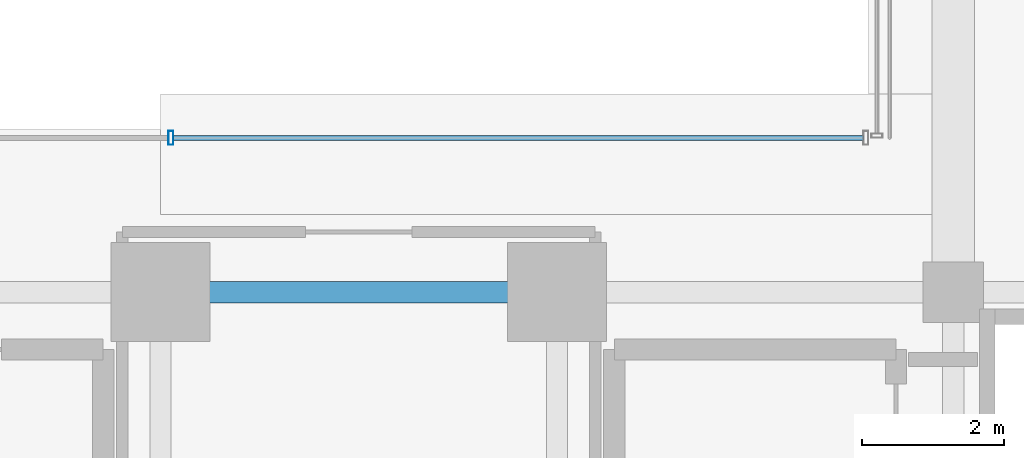
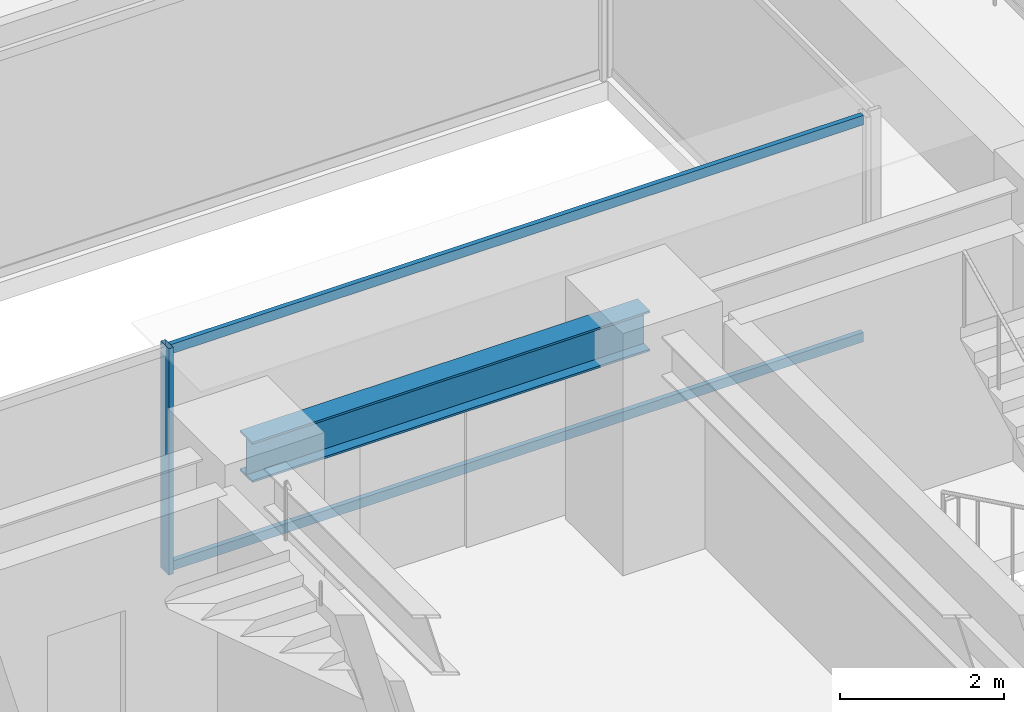
# One storey, part 9 of 43: 3 members, 1 beam, 1 element without a shape of its own.
"""IFC4 building model written with IfcOpenShell, lengths in metres."""

import ifcopenshell
import ifcopenshell.guid

model = None  # the IFC model being written
_history = None  # IfcOwnerHistory: only IFC2X3 demands one
_inside = {}  # id of a spatial element -> (the spatial element, [elements in it])
_under = {}  # id of a project, library or spatial element -> (it, [spatial elements below it])
_declared = {}  # id of a project -> (the project, [libraries it declares])
_typed = {}  # id of a type object -> (the type object, [elements of that type])
_made_of = {}  # id of a material, layer set ... -> (it, [elements and type objects made of it])


def new_model(schema):
    """Start an empty IFC model of exactly this schema.

    Asked for "IFC4X3", IfcOpenShell would pick the latest addendum, in which some entities
    have other attributes; the version numbers below select the first issue.
    IFC2X3 requires an IfcOwnerHistory on every rooted entity: one is made here for all.
    """
    global model, _history
    if schema == "IFC4X3":
        model = ifcopenshell.file(schema_version=(4, 3, 0, 0))
    else:
        model = ifcopenshell.file(schema=schema)
    _inside.clear()
    _under.clear()
    _declared.clear()
    _typed.clear()
    _made_of.clear()
    _history = None
    if model.schema == "IFC2X3":
        org = make("IfcOrganization", Name="unknown")
        user = make(
            "IfcPersonAndOrganization",
            ThePerson=make("IfcPerson", FamilyName="unknown"),
            TheOrganization=org,
        )
        app = make(
            "IfcApplication",
            ApplicationDeveloper=org,
            Version="unknown",
            ApplicationFullName="unknown",
            ApplicationIdentifier="unknown",
        )
        _history = make(
            "IfcOwnerHistory",
            OwningUser=user,
            OwningApplication=app,
            ChangeAction="ADDED",
            CreationDate=0,
        )
    return model


def make(cls, **values):
    """One entity of the class cls with the attributes given. An attribute that is None is left unset."""
    return model.create_entity(
        cls, **{name: value for name, value in values.items() if value is not None}
    )


def rooted(cls, **values):
    """An entity with a GlobalId (a new one), such as an element, a storey or a relation."""
    return make(cls, GlobalId=ifcopenshell.guid.new(), OwnerHistory=_history, **values)


def si_unit(unit_type, name, prefix=None):
    """IfcSIUnit, for example si_unit("LENGTHUNIT", "METRE", prefix="MILLI")."""
    return make("IfcSIUnit", UnitType=unit_type, Prefix=prefix, Name=name)


def assignment(units):
    """IfcUnitAssignment: the units of a project."""
    return None if units is None else make("IfcUnitAssignment", Units=units)


def point(xyz):
    """IfcCartesianPoint."""
    return None if xyz is None else make("IfcCartesianPoint", Coordinates=xyz)


def direction(xyz):
    """IfcDirection."""
    return None if xyz is None else make("IfcDirection", DirectionRatios=xyz)


def frame(location, z_axis=None, x_axis=None):
    """IfcAxis2Placement3D, a coordinate frame: its origin and axes. An axis left out is left unset."""
    return make(
        "IfcAxis2Placement3D",
        Location=point(location),
        Axis=direction(z_axis),
        RefDirection=direction(x_axis),
    )


def frame_2d(location, x_axis=None):
    """IfcAxis2Placement2D, a coordinate frame in the plane: its origin and x axis."""
    return make(
        "IfcAxis2Placement2D", Location=point(location), RefDirection=direction(x_axis)
    )


def origin():
    """The frame at (0, 0, 0) with its axes left unset."""
    return frame((0.0, 0.0, 0.0))


def origin_2d():
    """The frame at (0, 0) in the plane with its x axis left unset."""
    return frame_2d((0.0, 0.0))


def place(relative_to, where):
    """IfcLocalPlacement: puts the frame where relative to a parent placement (None: the world)."""
    return make(
        "IfcLocalPlacement", PlacementRelTo=relative_to, RelativePlacement=where
    )


def context(
    kind, dimensions, precision=None, world=None, true_north=None, identifier=None
):
    """IfcGeometricRepresentationContext, for example the 3D "Model" context."""
    return make(
        "IfcGeometricRepresentationContext",
        ContextIdentifier=identifier,
        ContextType=kind,
        CoordinateSpaceDimension=dimensions,
        Precision=precision,
        WorldCoordinateSystem=world,
        TrueNorth=true_north,
    )


def subcontext(parent, identifier, kind, view, scale=None):
    """IfcGeometricRepresentationSubContext, for example "Body" below "Model"."""
    return make(
        "IfcGeometricRepresentationSubContext",
        ContextIdentifier=identifier,
        ContextType=kind,
        ParentContext=parent,
        TargetScale=scale,
        TargetView=view,
    )


def project(units=None, contexts=None):
    """IfcProject with its units and contexts."""
    return rooted(
        "IfcProject",
        Name="project",
        RepresentationContexts=contexts,
        UnitsInContext=assignment(units),
    )


def spatial(cls, under=None, at=None, **own):
    """A site, building, storey or space (cls), placed at a placement, below another one or the project."""
    s = rooted(cls, ObjectPlacement=at, **own)
    if under is not None:
        _under.setdefault(under.id(), (under, []))[1].append(s)
    return s


def profile(cls, at=None, kind="AREA", **sizes):
    """A parametric profile (cls). Its sizes go by their IFC names, for example OverallWidth=200.0."""
    return make(cls, ProfileType=kind, Position=at, **sizes)


def hollow_rectangle(**sizes):
    """IfcRectangleHollowProfileDef."""
    return profile("IfcRectangleHollowProfileDef", **sizes)


def i_section(**sizes):
    """IfcIShapeProfileDef."""
    return profile("IfcIShapeProfileDef", **sizes)


def extrude(swept, where, along, depth):
    """IfcExtrudedAreaSolid: the profile swept, set in the frame where, extruded along a direction by depth."""
    return make(
        "IfcExtrudedAreaSolid",
        SweptArea=swept,
        Position=where,
        ExtrudedDirection=direction(along),
        Depth=depth,
    )


def shape(context_of_items, identifier, shape_type, items):
    """IfcShapeRepresentation: the items that make up one representation, for example the "Body"."""
    return make(
        "IfcShapeRepresentation",
        ContextOfItems=context_of_items,
        RepresentationIdentifier=identifier,
        RepresentationType=shape_type,
        Items=items,
    )


def source(mapping_origin, context_of_items, identifier, shape_type, items):
    """IfcRepresentationMap: a shape defined once, which mapped items show again and again."""
    return make(
        "IfcRepresentationMap",
        MappingOrigin=mapping_origin,
        MappedRepresentation=shape(context_of_items, identifier, shape_type, items),
    )


def transform(
    local_origin,
    x_axis=None,
    y_axis=None,
    z_axis=None,
    scale=None,
    scale2=None,
    scale3=None,
    uniform=True,
):
    """IfcCartesianTransformationOperator3D, or its non-uniform kind. x_axis, y_axis, z_axis: its Axis1, 2, 3."""
    if uniform:
        return make(
            "IfcCartesianTransformationOperator3D",
            Axis1=direction(x_axis),
            Axis2=direction(y_axis),
            LocalOrigin=point(local_origin),
            Scale=scale,
            Axis3=direction(z_axis),
        )
    return make(
        "IfcCartesianTransformationOperator3DnonUniform",
        Axis1=direction(x_axis),
        Axis2=direction(y_axis),
        LocalOrigin=point(local_origin),
        Scale=scale,
        Axis3=direction(z_axis),
        Scale2=scale2,
        Scale3=scale3,
    )


def mapped(mapping_source, mapping_target):
    """IfcMappedItem: shows the shape of a source again, moved by a transform."""
    return make(
        "IfcMappedItem", MappingSource=mapping_source, MappingTarget=mapping_target
    )


def material(Name=None, Category=None):
    """IfcMaterial."""
    return make("IfcMaterial", Name=Name, Category=Category)


def material_profile(
    of_material, cross_section, Name=None, Category=None, Priority=None
):
    """IfcMaterialProfile: a cross section and its material."""
    return make(
        "IfcMaterialProfile",
        Name=Name,
        Material=of_material,
        Profile=cross_section,
        Priority=Priority,
        Category=Category,
    )


def profile_set(profiles, Name=None, composite=None):
    """IfcMaterialProfileSet."""
    return make(
        "IfcMaterialProfileSet",
        Name=Name,
        MaterialProfiles=profiles,
        CompositeProfile=composite,
    )


def made_of(thing, what):
    """Note that an element or type object is made of a material, layer set ...; save() writes the relation."""
    if what is not None:
        _made_of.setdefault(what.id(), (what, []))[1].append(thing)
    return thing


def type_object(cls, material=None, **own):
    """A type object (cls), such as IfcWallType, which elements share."""
    return made_of(rooted(cls, **own), material)


def element(
    cls,
    number,
    at=None,
    inside=None,
    cuts=None,
    type_object=None,
    material=None,
    context=None,
    identifier="Body",
    shape_type=None,
    held_by="IfcProductDefinitionShape",
    body=None,
    shapes=None,
    **own,
):
    """One element of the class cls, such as IfcWall. Its Tag is "e" and its number.

    at: its placement. inside: the storey or other place that contains it. cuts: it is an
    opening in that element (IfcRelVoidsElement). A single representation is given by context,
    identifier, shape_type and body (its items); several are given by shapes. held_by: the class
    of the entity that holds the representations. save() writes the other relations.
    """
    e = rooted(cls, Tag="e%d" % number, ObjectPlacement=at, **own)
    if body is not None:
        shapes = [shape(context, identifier, shape_type, body)]
    if shapes is not None:
        e.Representation = make(held_by, Representations=shapes)
    if inside is not None:
        _inside.setdefault(inside.id(), (inside, []))[1].append(e)
    if cuts is not None:
        rooted(
            "IfcRelVoidsElement", RelatingBuildingElement=cuts, RelatedOpeningElement=e
        )
    if type_object is not None:
        _typed.setdefault(type_object.id(), (type_object, []))[1].append(e)
    return made_of(e, material)


def aggregate(whole, parts):
    """IfcRelAggregates: a whole, such as a stair, and the parts it consists of."""
    return rooted("IfcRelAggregates", RelatingObject=whole, RelatedObjects=parts)


def save(model, path):
    """Write the relations noted so far, then the file.

    IfcRelAggregates (storeys below a building ...), IfcRelContainedInSpatialStructure (elements
    in a storey), IfcRelDefinesByType, IfcRelAssociatesMaterial and IfcRelDeclares: one each for
    every whole, place, type object, material and project.
    """
    for whole, parts in _under.values():
        aggregate(whole, parts)
    for where, things in _inside.values():
        rooted(
            "IfcRelContainedInSpatialStructure",
            RelatedElements=things,
            RelatingStructure=where,
        )
    for kind, things in _typed.values():
        rooted("IfcRelDefinesByType", RelatedObjects=things, RelatingType=kind)
    for what, things in _made_of.values():
        rooted("IfcRelAssociatesMaterial", RelatedObjects=things, RelatingMaterial=what)
    for by, libraries in _declared.values():
        rooted("IfcRelDeclares", RelatingContext=by, RelatedDefinitions=libraries)
    model.write(path)


model = new_model("IFC4")

# Units and contexts
model_context = context("Model", 3, precision=1e-05, world=origin(), true_north=direction((0.0, 1.0)))
body_context = subcontext(model_context, "Body", "Model", "MODEL_VIEW")
ifc_project = project(units=[si_unit("LENGTHUNIT", "METRE"), si_unit("AREAUNIT", "SQUARE_METRE"), si_unit("VOLUMEUNIT", "CUBIC_METRE"), si_unit("PLANEANGLEUNIT", "RADIAN"), si_unit("MASSUNIT", "GRAM", prefix="KILO")], contexts=[model_context])

# Site, building, storey
site_placement = place(None, origin())
site = spatial("IfcSite", under=ifc_project, at=site_placement, CompositionType="ELEMENT")
building_placement = place(site_placement, origin())
building = spatial("IfcBuilding", under=site, at=building_placement, Name="Nahalor Promenade Grand Hotel", CompositionType="ELEMENT")
storey_placement = place(building_placement, frame((0.0, 0.0, 47.0)))
storey = spatial("IfcBuildingStorey", under=building, at=storey_placement, Name="L10", CompositionType="ELEMENT", Elevation=47.0)

# Beam
ifc_material_1 = material(Name="Steel S355JR", Category="steel")
ifc_material_profile_1 = material_profile(ifc_material_1, i_section(OverallWidth=0.3, OverallDepth=0.6, WebThickness=0.0155, FlangeThickness=0.03, at=origin_2d()), Name="HEB 600")
ifc_profile_set_1 = profile_set([ifc_material_profile_1], Name="Steel S355JR")
beam_type = type_object("IfcBeamType", Name="Beam-Girder-HEB600", PredefinedType="BEAM", material=ifc_profile_set_1)
shared_shape_1 = source(origin(), body_context, "Body", "SweptSolid", [
    extrude(i_section(OverallWidth=0.3, OverallDepth=0.6, WebThickness=0.0155, FlangeThickness=0.03, at=origin_2d()), origin(), (0.0, 0.0, 1.0), 5.60009765625),
])
beam_placement = place(storey_placement, frame((-2.800048828125, -5.39990234375, 3.070068359375), z_axis=(1.0, 0.0, 0.0), x_axis=(0.0, 1.0, 0.0)))
element("IfcBeam", 1, at=beam_placement, inside=storey, type_object=beam_type, Name="BM-L10-GX-1-3", PredefinedType="BEAM", context=body_context, shape_type="MappedRepresentation", body=[
    mapped(shared_shape_1, transform((0.0, 0.0, 0.0), scale=1.0)),
])

# Curtain wall, members
ifc_material_2 = material(Name="Anodised Bronze Aluminium EN AW-6063 T6", Category="aluminium")
curtain_wall_type = type_object("IfcCurtainWallType", Name="CW3 Elliptical-Void Collar Unitised Curtain Wall", PredefinedType="USERDEFINED", material=ifc_material_2)
curtain_wall_placement = place(storey_placement, origin())
curtain_wall = element("IfcCurtainWall", 2, at=curtain_wall_placement, inside=storey, type_object=curtain_wall_type, Name="L10 Curtain Wall CW-L10-VOID-WS1", ObjectType="UNITISED_CURTAIN_WALL", PredefinedType="USERDEFINED")
ifc_material_profile_2 = material_profile(ifc_material_2, hollow_rectangle(XDim=0.07, YDim=0.14, WallThickness=0.004, at=origin_2d()), Name="CWT 70x140x4")
ifc_profile_set_2 = profile_set([ifc_material_profile_2], Name="Anodised Bronze Aluminium EN AW-6063 T6")
member_type_1 = type_object("IfcMemberType", Name="CWT3 Void Collar Transom 70x140", PredefinedType="USERDEFINED", material=ifc_profile_set_2)
shared_shape_2 = source(origin(), body_context, "Body", "SweptSolid", [
    extrude(hollow_rectangle(XDim=0.07, YDim=0.14, WallThickness=0.004, at=origin_2d()), origin(), (0.0, 0.0, 1.0), 9.748291015625),
])
member_1_placement = place(storey_placement, frame((-2.618408203125, -3.219970703125, 0.070068359375), z_axis=(1.0, 0.0, 0.0), x_axis=(0.0, 1.0, 0.0)))
member_1 = element("IfcMember", 3, at=member_1_placement, type_object=member_type_1, Name="CW-L10-VOID-WS1 Transom 2-0", ObjectType="TRANSOM", PredefinedType="USERDEFINED", context=body_context, shape_type="MappedRepresentation", body=[
    mapped(shared_shape_2, transform((0.0, 0.0, 0.0), scale=1.0)),
])
member_2_placement = place(storey_placement, frame((-2.618408203125, -3.219970703125, 3.300048828125), z_axis=(1.0, 0.0, 0.0), x_axis=(0.0, 1.0, 0.0)))
member_2 = element("IfcMember", 4, at=member_2_placement, type_object=member_type_1, Name="CW-L10-VOID-WS1 Transom 2-1", ObjectType="TRANSOM", PredefinedType="USERDEFINED", context=body_context, shape_type="MappedRepresentation", body=[
    mapped(shared_shape_2, transform((0.0, 0.0, 0.0), scale=1.0)),
])
ifc_material_profile_3 = material_profile(ifc_material_2, hollow_rectangle(XDim=0.07, YDim=0.2, WallThickness=0.005, at=origin_2d()), Name="CWM 70x200x5")
ifc_profile_set_3 = profile_set([ifc_material_profile_3], Name="Anodised Bronze Aluminium EN AW-6063 T6")
member_type_2 = type_object("IfcMemberType", Name="CWM3 Void Collar Mullion 70x200", PredefinedType="MULLION", material=ifc_profile_set_3)
shared_shape_3 = source(origin(), body_context, "Body", "SweptSolid", [
    extrude(hollow_rectangle(XDim=0.07, YDim=0.2, WallThickness=0.005, at=origin_2d()), origin(), (0.0, 0.0, 1.0), 3.3701171875),
])
member_3_placement = place(storey_placement, frame((-2.6533203125, -3.219970703125, 0.0), z_axis=(0.0, 0.0, 1.0), x_axis=(1.0, 0.0, 0.0)))
member_3 = element("IfcMember", 5, at=member_3_placement, type_object=member_type_2, Name="CW-L10-VOID-WS1 Mullion 2", PredefinedType="MULLION", context=body_context, shape_type="MappedRepresentation", body=[
    mapped(shared_shape_3, transform((0.0, 0.0, 0.0), scale=1.0)),
])
aggregate(curtain_wall, [member_3, member_1, member_2])

save(model, "model.ifc")
